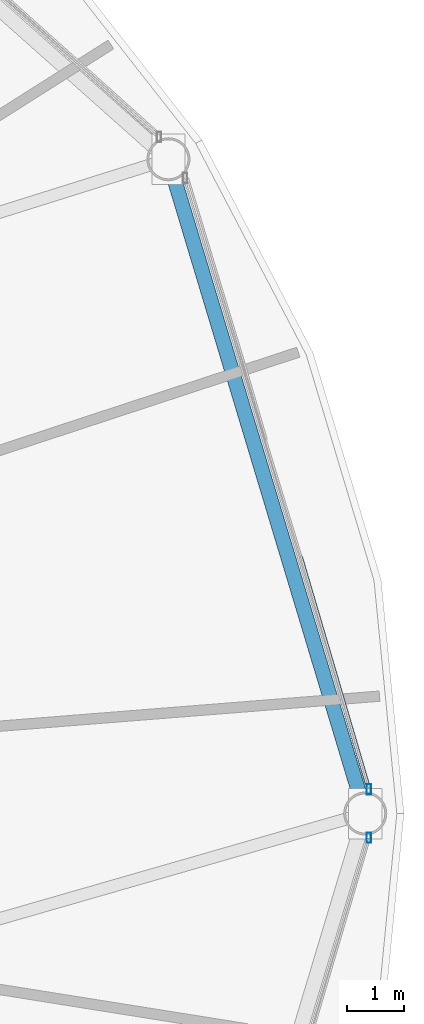
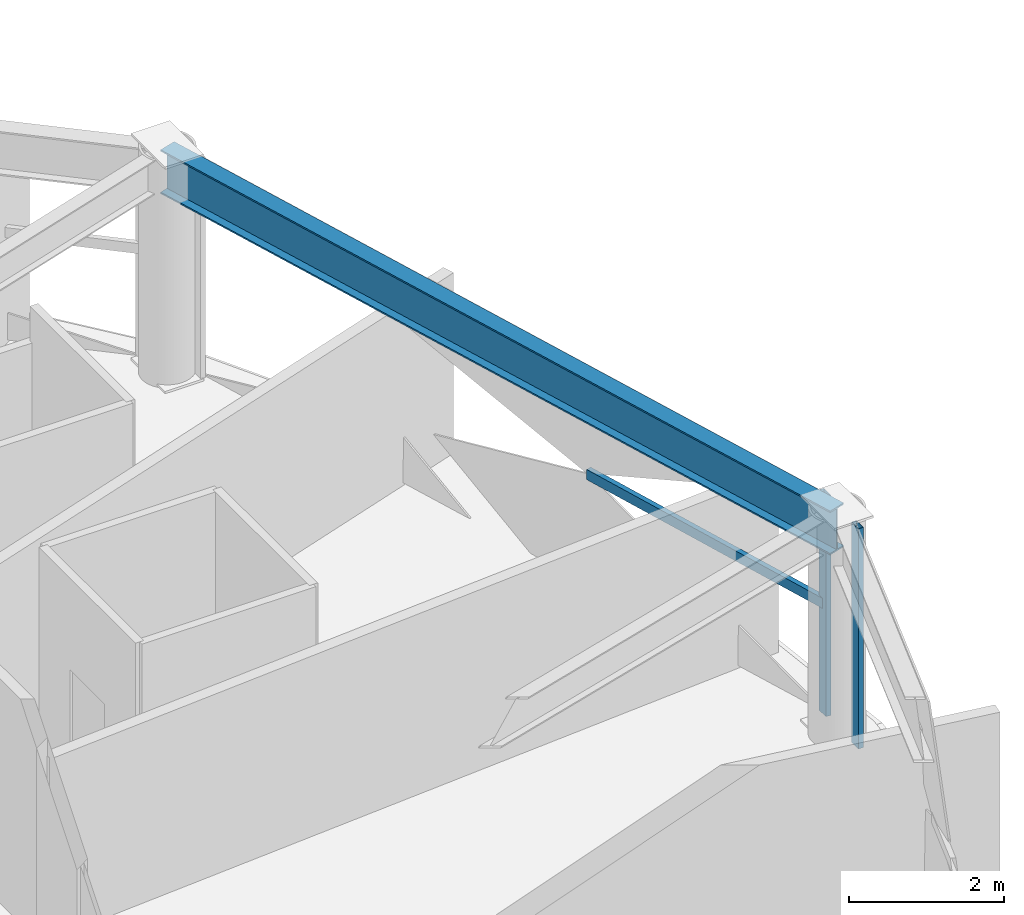
# One storey, part 13 of 32: 3 members, 1 beam, 2 elements without a shape of their own.
"""IFC4 building model written with IfcOpenShell, lengths in metres."""

from ifc_helpers import new_model, si_unit, direction, frame, origin, origin_2d, place, context, subcontext, project, spatial, hollow_rectangle, i_section, extrude, material, layer, layer_set, material_profile, profile_set, type_object, element, aggregate, save


model = new_model("IFC4")

# Units and contexts
model_context = context("Model", 3, precision=1e-05, world=origin(), true_north=direction((0.0, 1.0)))
body_context = subcontext(model_context, "Body", "Model", "MODEL_VIEW")
ifc_project = project(units=[si_unit("LENGTHUNIT", "METRE"), si_unit("AREAUNIT", "SQUARE_METRE"), si_unit("VOLUMEUNIT", "CUBIC_METRE"), si_unit("PLANEANGLEUNIT", "RADIAN"), si_unit("MASSUNIT", "GRAM", prefix="KILO")], contexts=[model_context])

# Site, building, storey
site_placement = place(None, origin())
site = spatial("IfcSite", under=ifc_project, at=site_placement, CompositionType="ELEMENT")
building_placement = place(site_placement, origin())
building = spatial("IfcBuilding", under=site, at=building_placement, Name="Vantalir Tower", CompositionType="ELEMENT")
storey_placement = place(building_placement, frame((0.0, 0.0, 108.449951171875)))
storey = spatial("IfcBuildingStorey", under=building, at=storey_placement, Name="L26", CompositionType="ELEMENT", Elevation=108.449951171875)

# Beam
ifc_material_1 = material(Name="Steel S460", Category="steel")
ifc_material_profile_1 = material_profile(ifc_material_1, i_section(OverallWidth=0.256103515625, OverallDepth=0.693115234375, WebThickness=0.014404296875, FlangeThickness=0.023681640625, at=origin_2d()), Name="Steel S460")
ifc_profile_set_1 = profile_set([ifc_material_profile_1], Name="Steel S460")
beam_type = type_object("IfcBeamType", Name="BM-RG-686x254", PredefinedType="USERDEFINED", material=ifc_profile_set_1)
beam_placement = place(storey_placement, frame((57.087890625, 25.0, 3.22314453125), z_axis=(-0.288100770592, 0.95760009711, 0.0), x_axis=(-0.95760009711, -0.288100770592, 0.0)))
element("IfcBeam", 1, at=beam_placement, inside=storey, type_object=beam_type, Name="L26 Circumferential Ring Girder 01", ObjectType="GIRDER", PredefinedType="USERDEFINED", context=body_context, shape_type="SweptSolid", body=[
    extrude(i_section(OverallWidth=0.256103515625, OverallDepth=0.693115234375, WebThickness=0.014404296875, FlangeThickness=0.023681640625, at=origin_2d()), origin(), (0.0, 0.0, 1.0), 11.8984375),
])

# Curtain wall, member
ifc_material_2 = material(Name="Champagne-silver PVDF aluminium and double-silver Low-E glass", Category="aluminium")
ifc_layer = layer(ifc_material_2, 0.199951171875)
ifc_layer_set = layer_set([ifc_layer], Name="Champagne-silver PVDF aluminium and double-silver Low-E glass")
curtain_wall_type = type_object("IfcCurtainWallType", Name="CW-DIAMOND-Z2", PredefinedType="USERDEFINED", material=ifc_layer_set)
curtain_wall_1_placement = place(storey_placement, origin())
curtain_wall_1 = element("IfcCurtainWall", 2, at=curtain_wall_1_placement, inside=storey, type_object=curtain_wall_type, Name="L26 Quilted Pyramid-Diamond Curtain Wall S01", ObjectType="UNITISED CURTAIN WALL", PredefinedType="USERDEFINED")
ifc_material_3 = material(Name="Champagne-silver PVDF aluminium 6063-T6", Category="aluminium")
ifc_material_profile_2 = material_profile(ifc_material_3, hollow_rectangle(XDim=0.074951171875, YDim=0.179931640625, WallThickness=0.00390625, at=origin_2d()), Name="Champagne-silver PVDF aluminium 6063-T6")
ifc_profile_set_2 = profile_set([ifc_material_profile_2], Name="Champagne-silver PVDF aluminium 6063-T6")
member_type_1 = type_object("IfcMemberType", Name="CWM-180x75", PredefinedType="MULLION", material=ifc_profile_set_2)
member_1_placement = place(storey_placement, frame((57.15087890625, 25.4208984375, 0.045166015625), z_axis=(0.0, 0.0, 1.0), x_axis=(1.0, 0.0, 0.0)))
member_1 = element("IfcMember", 3, at=member_1_placement, type_object=member_type_1, Name="CW-L26-S01 Mullion 1", PredefinedType="MULLION", context=body_context, shape_type="SweptSolid", body=[
    extrude(hollow_rectangle(XDim=0.074951171875, YDim=0.179931640625, WallThickness=0.00390625, at=origin_2d()), origin(), (0.0, 0.0, 1.0), 3.47998046875),
])

curtain_wall_2_placement = place(storey_placement, origin())
curtain_wall_2 = element("IfcCurtainWall", 4, at=curtain_wall_2_placement, inside=storey, type_object=curtain_wall_type, Name="L26 Quilted Pyramid-Diamond Curtain Wall S12", ObjectType="UNITISED CURTAIN WALL", PredefinedType="USERDEFINED")
member_2_placement = place(storey_placement, frame((57.15087890625, 24.5791015625, 0.045166015625), z_axis=(0.0, 0.0, 1.0), x_axis=(1.0, 0.0, 0.0)))
member_2 = element("IfcMember", 5, at=member_2_placement, type_object=member_type_1, Name="CW-L26-S12 Mullion 2", PredefinedType="MULLION", context=body_context, shape_type="SweptSolid", body=[
    extrude(hollow_rectangle(XDim=0.074951171875, YDim=0.179931640625, WallThickness=0.00390625, at=origin_2d()), origin(), (0.0, 0.0, 1.0), 3.47998046875),
])
aggregate(curtain_wall_2, [member_2])

# Member
ifc_material_profile_3 = material_profile(ifc_material_3, hollow_rectangle(XDim=0.074951171875, YDim=0.159912109375, WallThickness=0.00390625, at=origin_2d()), Name="Champagne-silver PVDF aluminium 6063-T6")
ifc_profile_set_3 = profile_set([ifc_material_profile_3], Name="Champagne-silver PVDF aluminium 6063-T6")
member_type_2 = type_object("IfcMemberType", Name="CWT-160x75", PredefinedType="USERDEFINED", material=ifc_profile_set_3)
member_3_placement = place(storey_placement, frame((57.15087890625, 25.4208984375, 1.78515625), z_axis=(-0.2823197322, 0.959320368183, 0.0), x_axis=(-0.959320368183, -0.2823197322, 0.0)))
member_3 = element("IfcMember", 6, at=member_3_placement, type_object=member_type_2, Name="CW-L26-S01 Pyramid Fold Ridge Transom", ObjectType="TRANSOM", PredefinedType="USERDEFINED", context=body_context, shape_type="SweptSolid", body=[
    extrude(hollow_rectangle(XDim=0.074951171875, YDim=0.159912109375, WallThickness=0.00390625, at=origin_2d()), origin(), (0.0, 0.0, 1.0), 4.2216796875),
])

aggregate(curtain_wall_1, [member_1, member_3])

save(model, "model.ifc")
